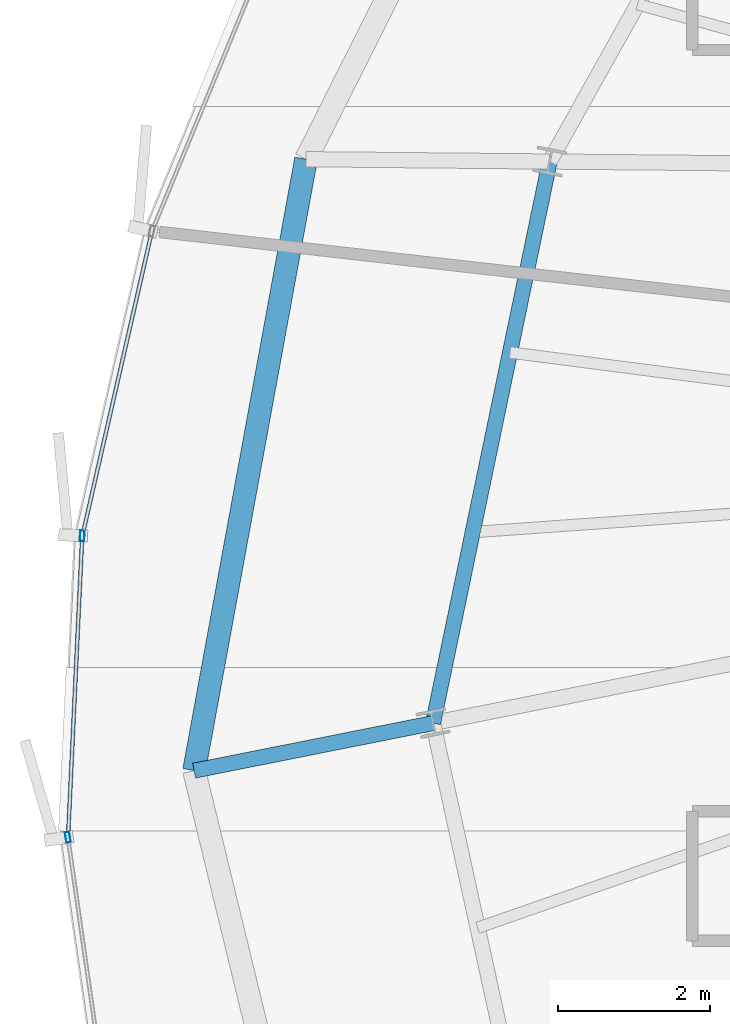
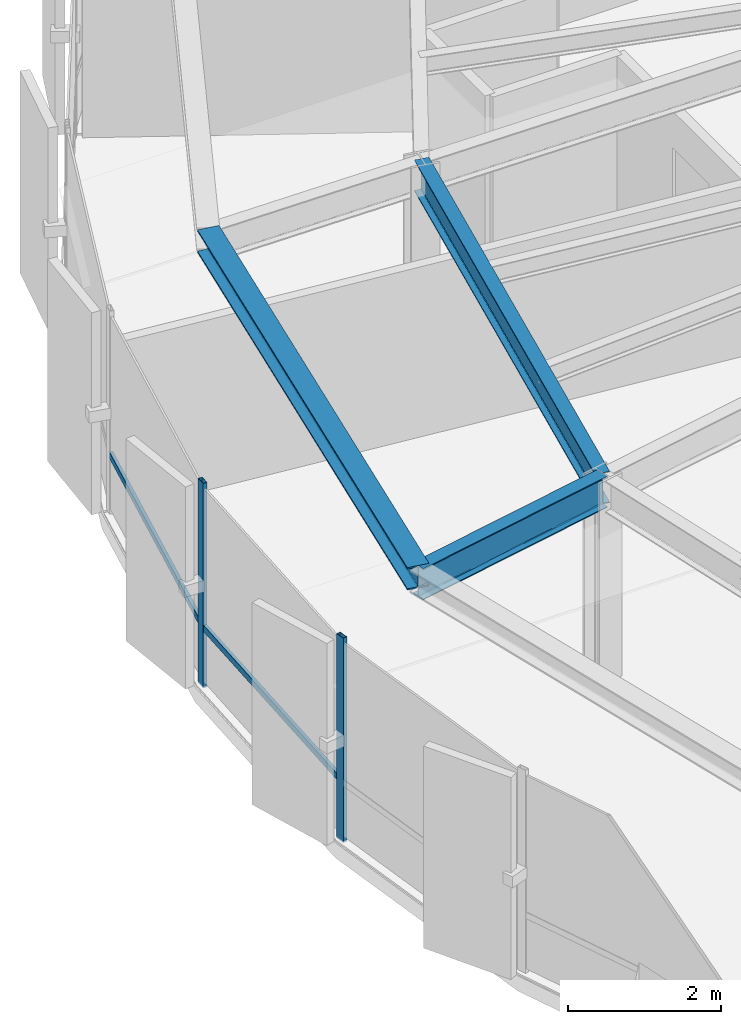
# One storey, part 9 of 34: 4 members, 3 beams, 1 element without a shape of its own.
"""IFC4 building model written with IfcOpenShell, lengths in metres."""

from ifc_helpers import new_model, si_unit, direction, frame, origin, origin_2d, place, context, subcontext, project, spatial, hollow_rectangle, i_section, extrude, source, transform, mapped, material, layer, layer_set, material_profile, profile_set, type_object, element, aggregate, save


model = new_model("IFC4")

# Units and contexts
model_context = context("Model", 3, precision=1e-05, world=origin(), true_north=direction((0.0, 1.0)))
body_context = subcontext(model_context, "Body", "Model", "MODEL_VIEW")
ifc_project = project(units=[si_unit("LENGTHUNIT", "METRE"), si_unit("AREAUNIT", "SQUARE_METRE"), si_unit("VOLUMEUNIT", "CUBIC_METRE"), si_unit("PLANEANGLEUNIT", "RADIAN"), si_unit("MASSUNIT", "GRAM", prefix="KILO"), si_unit("THERMODYNAMICTEMPERATUREUNIT", "KELVIN")], contexts=[model_context])

# Site, building, storey
site_placement = place(None, origin())
site = spatial("IfcSite", under=ifc_project, at=site_placement, CompositionType="ELEMENT")
building_placement = place(site_placement, origin())
building = spatial("IfcBuilding", under=site, at=building_placement, Name="Kethvar Cultural Tower", CompositionType="ELEMENT")
storey_placement = place(building_placement, frame((0.0, 0.0, 186.89990234375)))
storey = spatial("IfcBuildingStorey", under=building, at=storey_placement, Name="L48", CompositionType="ELEMENT", Elevation=186.89990234375)

# Beams
ifc_material_1 = material(Name="Steel S355J2", Category="steel")
ifc_material_profile_1 = material_profile(ifc_material_1, i_section(OverallWidth=0.199951171875, OverallDepth=0.5, WebThickness=0.01025390625, FlangeThickness=0.01611328125, FilletRadius=0.02099609375, at=origin_2d()), Name="Steel S355J2 — IPE500")
ifc_profile_set_1 = profile_set([ifc_material_profile_1], Name="Steel S355J2 — IPE500")
beam_type_1 = type_object("IfcBeamType", Name="BM-IPE500", PredefinedType="BEAM", material=ifc_profile_set_1)
shared_shape_1 = source(origin(), body_context, "Body", "SweptSolid", [
    extrude(i_section(OverallWidth=0.199951171875, OverallDepth=0.5, WebThickness=0.01025390625, FlangeThickness=0.01611328125, FilletRadius=0.02099609375, at=origin_2d()), origin(), (0.0, 0.0, 1.0), 3.199951171875),
])
beam_1_placement = place(storey_placement, frame((27.492919921875, 23.959716796875, 3.008056640625), z_axis=(-0.980770949178, -0.195162356126, 0.0), x_axis=(0.195162356126, -0.980770949178, 0.0)))
element("IfcBeam", 1, at=beam_1_placement, inside=storey, type_object=beam_type_1, Name="L48 Perimeter Cantilever Beam RC-09", PredefinedType="BEAM", context=body_context, shape_type="MappedRepresentation", body=[
    mapped(shared_shape_1, transform((0.0, 0.0, 0.0), scale=1.0)),
])
shared_shape_2 = source(origin(), body_context, "Body", "SweptSolid", [
    extrude(i_section(OverallWidth=0.199951171875, OverallDepth=0.5, WebThickness=0.01025390625, FlangeThickness=0.01611328125, FilletRadius=0.02099609375, at=origin_2d()), origin(), (0.0, 0.0, 1.0), 7.533447265625),
])
beam_2_placement = place(storey_placement, frame((29.02490234375, 31.335693359375, 3.008056640625), z_axis=(-0.203358905185, -0.979104261906, 0.0), x_axis=(0.979104261906, -0.203358905185, 0.0)))
element("IfcBeam", 2, at=beam_2_placement, inside=storey, type_object=beam_type_1, Name="L48 Column Ring Tie Beam CR-08", PredefinedType="BEAM", context=body_context, shape_type="MappedRepresentation", body=[
    mapped(shared_shape_2, transform((0.0, 0.0, 0.0), scale=1.0)),
])
ifc_material_profile_2 = material_profile(ifc_material_1, i_section(OverallWidth=0.300048828125, OverallDepth=0.360107421875, WebThickness=0.012451171875, FlangeThickness=0.0224609375, FilletRadius=0.027099609375, at=origin_2d()), Name="Steel S355J2 — HEB360")
ifc_profile_set_2 = profile_set([ifc_material_profile_2], Name="Steel S355J2 — HEB360")
beam_type_2 = type_object("IfcBeamType", Name="BM-SP360", PredefinedType="SPANDREL", material=ifc_profile_set_2)
shared_shape_3 = source(origin(), body_context, "Body", "SweptSolid", [
    extrude(i_section(OverallWidth=0.300048828125, OverallDepth=0.360107421875, WebThickness=0.012451171875, FlangeThickness=0.0224609375, FilletRadius=0.027099609375, at=origin_2d()), origin(), (0.0, 0.0, 1.0), 8.16455078125),
])
beam_3_placement = place(storey_placement, frame((25.824951171875, 31.3662109375, 3.078125), z_axis=(-0.180103654572, -0.983647636916, 0.0), x_axis=(0.983647636916, -0.180103654572, 0.0)))
element("IfcBeam", 3, at=beam_3_placement, inside=storey, type_object=beam_type_2, Name="L48 Perimeter Spandrel Beam SP-08", PredefinedType="SPANDREL", context=body_context, shape_type="MappedRepresentation", body=[
    mapped(shared_shape_3, transform((0.0, 0.0, 0.0), scale=1.0)),
])

# Curtain wall, members
ifc_material_2 = material(Name="Aluminium 6063-T6", Category="aluminium")
ifc_layer = layer(ifc_material_2, 0.179931640625, Name="Aluminium 6063-T6", Category="aluminium")
ifc_layer_set = layer_set([ifc_layer], Name="Aluminium 6063-T6 (180 mm)")
curtain_wall_type = type_object("IfcCurtainWallType", Name="CW-SYS-04-Z34", PredefinedType="NOTDEFINED", material=ifc_layer_set)
curtain_wall_placement = place(storey_placement, origin())
curtain_wall = element("IfcCurtainWall", 4, at=curtain_wall_placement, inside=storey, type_object=curtain_wall_type, Name="L48 Curtain Wall Run 03", PredefinedType="NOTDEFINED")
ifc_material_profile_3 = material_profile(ifc_material_2, hollow_rectangle(XDim=0.06005859375, YDim=0.139892578125, WallThickness=0.0048828125, at=origin_2d()), Name="Aluminium 6063-T6 — RHS140x60x5")
ifc_profile_set_3 = profile_set([ifc_material_profile_3], Name="Aluminium 6063-T6 — RHS140x60x5")
member_type_1 = type_object("IfcMemberType", Name="CW-SYS-04-Z34-MUL", PredefinedType="MULLION", material=ifc_profile_set_3)
shared_shape_4 = source(origin(), body_context, "Body", "SweptSolid", [
    extrude(hollow_rectangle(XDim=0.06005859375, YDim=0.139892578125, WallThickness=0.0048828125, at=origin_2d()), origin(), (0.0, 0.0, 1.0), 3.260009765625),
])
member_1_placement = place(storey_placement, frame((22.885986328125, 26.419189453125, 0.0), z_axis=(0.0, 0.0, 1.0), x_axis=(0.998888230028, -0.047141318515, 0.0)))
member_1 = element("IfcMember", 5, at=member_1_placement, type_object=member_type_1, Name="CW-L48-R03 Mullion 3", PredefinedType="MULLION", context=body_context, shape_type="MappedRepresentation", body=[
    mapped(shared_shape_4, transform((0.0, 0.0, 0.0), scale=1.0)),
])
member_2_placement = place(storey_placement, frame((22.697021484375, 22.46044921875, 0.0), z_axis=(0.0, 0.0, 1.0), x_axis=(0.989858215103, 0.142058839895, 0.0)))
member_2 = element("IfcMember", 6, at=member_2_placement, type_object=member_type_1, Name="CW-L48-R03 Mullion 4", PredefinedType="MULLION", context=body_context, shape_type="MappedRepresentation", body=[
    mapped(shared_shape_4, transform((0.0, 0.0, 0.0), scale=1.0)),
])
ifc_material_profile_4 = material_profile(ifc_material_2, hollow_rectangle(XDim=0.050048828125, YDim=0.10009765625, WallThickness=0.00390625, at=origin_2d()), Name="Aluminium 6063-T6 — RHS100x50x4")
ifc_profile_set_4 = profile_set([ifc_material_profile_4], Name="Aluminium 6063-T6 — RHS100x50x4")
member_type_2 = type_object("IfcMemberType", Name="CW-SYS-04-Z34-TRN", PredefinedType="USERDEFINED", material=ifc_profile_set_4)
shared_shape_5 = source(origin(), body_context, "Body", "SweptSolid", [
    extrude(hollow_rectangle(XDim=0.050048828125, YDim=0.10009765625, WallThickness=0.00390625, at=origin_2d()), origin(), (0.0, 0.0, 1.0), 4.03857421875),
])
member_3_placement = place(storey_placement, frame((23.79150390625, 30.37939453125, 0.9501953125), z_axis=(-0.222527684804, -0.97492637132, 0.0), x_axis=(0.97492637132, -0.222527684804, 0.0)))
member_3 = element("IfcMember", 7, at=member_3_placement, type_object=member_type_2, Name="CW-L48-R03 Transom 2", ObjectType="TRANSOM", PredefinedType="USERDEFINED", context=body_context, shape_type="MappedRepresentation", body=[
    mapped(shared_shape_5, transform((0.0, 0.0, 0.0), scale=1.0)),
])
shared_shape_6 = source(origin(), body_context, "Body", "SweptSolid", [
    extrude(hollow_rectangle(XDim=0.050048828125, YDim=0.10009765625, WallThickness=0.00390625, at=origin_2d()), origin(), (0.0, 0.0, 1.0), 3.897705078125),
])
member_4_placement = place(storey_placement, frame((22.8837890625, 26.376220703125, 0.9501953125), z_axis=(-0.047103861403, -0.998889997067, 0.0), x_axis=(0.998889997067, -0.047103861403, 0.0)))
member_4 = element("IfcMember", 8, at=member_4_placement, type_object=member_type_2, Name="CW-L48-R03 Transom 3", ObjectType="TRANSOM", PredefinedType="USERDEFINED", context=body_context, shape_type="MappedRepresentation", body=[
    mapped(shared_shape_6, transform((0.0, 0.0, 0.0), scale=1.0)),
])
aggregate(curtain_wall, [member_1, member_2, member_3, member_4])

save(model, "model.ifc")
